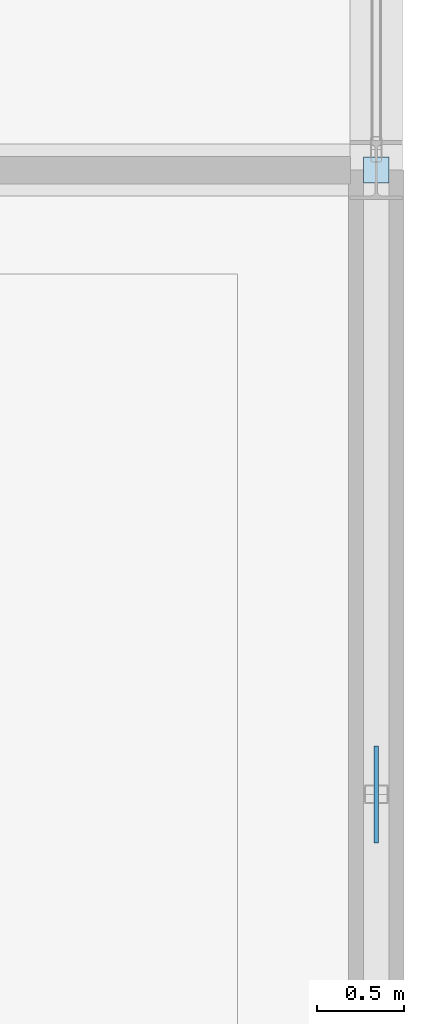
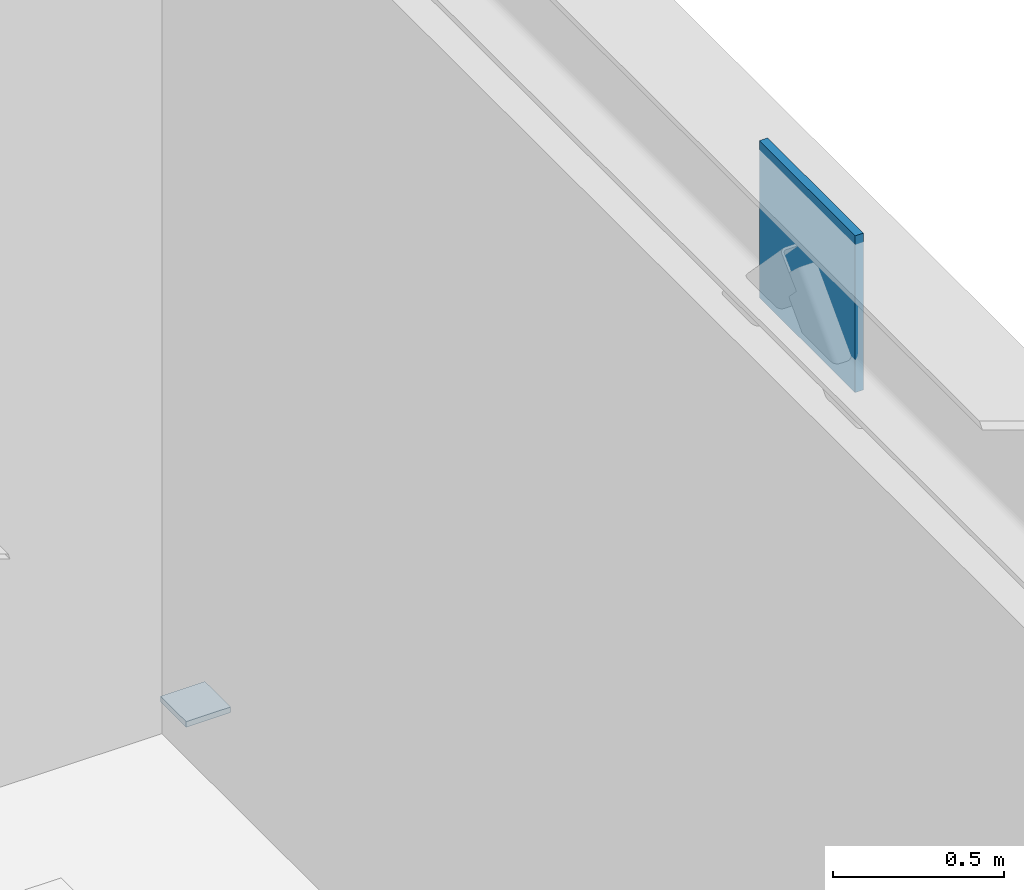
# One storey, part 60 of 73: 2 plates.
"""IFC4 building model written with IfcOpenShell, lengths in metres."""

from ifc_helpers import new_model, si_unit, derived_unit, direction, frame, origin, origin_2d, place, context, subcontext, project, spatial, rectangle, extrude, material, layer, layer_set, type_object, element, save


model = new_model("IFC4")

# Units and contexts
model_context = context("Model", 3, precision=1e-05, world=origin(), true_north=direction((0.0, 1.0)))
body_context = subcontext(model_context, "Body", "Model", "MODEL_VIEW")
ifc_project = project(units=[si_unit("LENGTHUNIT", "METRE"), si_unit("AREAUNIT", "SQUARE_METRE"), si_unit("VOLUMEUNIT", "CUBIC_METRE"), si_unit("PLANEANGLEUNIT", "RADIAN"), si_unit("MASSUNIT", "GRAM", prefix="KILO"), derived_unit("THERMALTRANSMITTANCEUNIT", [(si_unit("MASSUNIT", "GRAM", prefix="KILO"), 1), (si_unit("TIMEUNIT", "SECOND"), -3), (si_unit("THERMODYNAMICTEMPERATUREUNIT", "KELVIN"), -1)])], contexts=[model_context])

# Site, building, storey
site_placement = place(None, origin())
site = spatial("IfcSite", under=ifc_project, at=site_placement, CompositionType="ELEMENT")
building_placement = place(site_placement, origin())
building = spatial("IfcBuilding", under=site, at=building_placement, Name="Kharveza Railside Sports Centre", CompositionType="ELEMENT")
storey_placement = place(building_placement, frame((0.0, 0.0, 8.699951171875)))
storey = spatial("IfcBuildingStorey", under=building, at=storey_placement, Name="L02", CompositionType="ELEMENT", Elevation=8.699951171875)

# Plates
ifc_material = material(Name="Steel S355J2", Category="steel")
ifc_layer_1 = layer(ifc_material, 0.02001953125, Name="Steel S355J2")
ifc_layer_set_1 = layer_set([ifc_layer_1], Name="Steel S355J2")
plate_type_1 = type_object("IfcPlateType", Name="PL-EC11", PredefinedType="USERDEFINED", material=ifc_layer_set_1)
plate_1_placement = place(storey_placement, frame((168.0, 72.0, -0.010009765625), z_axis=(0.0, 0.0, 1.0), x_axis=(1.0, 0.0, 0.0)))
element("IfcPlate", 1, at=plate_1_placement, inside=storey, type_object=plate_type_1, Name="PLT-EC-177", ObjectType="END_CAP_PLATE", PredefinedType="USERDEFINED", context=body_context, shape_type="SweptSolid", body=[
    extrude(rectangle(XDim=0.14990234375, YDim=0.14990234375, at=origin_2d()), origin(), (0.0, 0.0, 1.0), 0.02001953125),
])
ifc_layer_2 = layer(ifc_material, 0.028076171875, Name="Steel S355J2")
ifc_layer_set_2 = layer_set([ifc_layer_2], Name="Steel S355J2")
plate_type_2 = type_object("IfcPlateType", Name="PL-GS05", PredefinedType="USERDEFINED", material=ifc_layer_set_2)
plate_2_placement = place(storey_placement, frame((168.0, 68.39990234375, 3.469970703125), z_axis=(0.0, 0.0, 1.0), x_axis=(1.0, 0.0, 0.0)))
element("IfcPlate", 2, at=plate_2_placement, inside=storey, type_object=plate_type_2, Name="PLT-GS-CHEVN-020", ObjectType="GUSSET_PLATE", PredefinedType="USERDEFINED", context=body_context, shape_type="SweptSolid", body=[
    extrude(rectangle(XDim=0.028076171875, YDim=0.56005859375, at=origin_2d()), origin(), (0.0, 0.0, 1.0), 0.56005859375),
])

save(model, "model.ifc")
